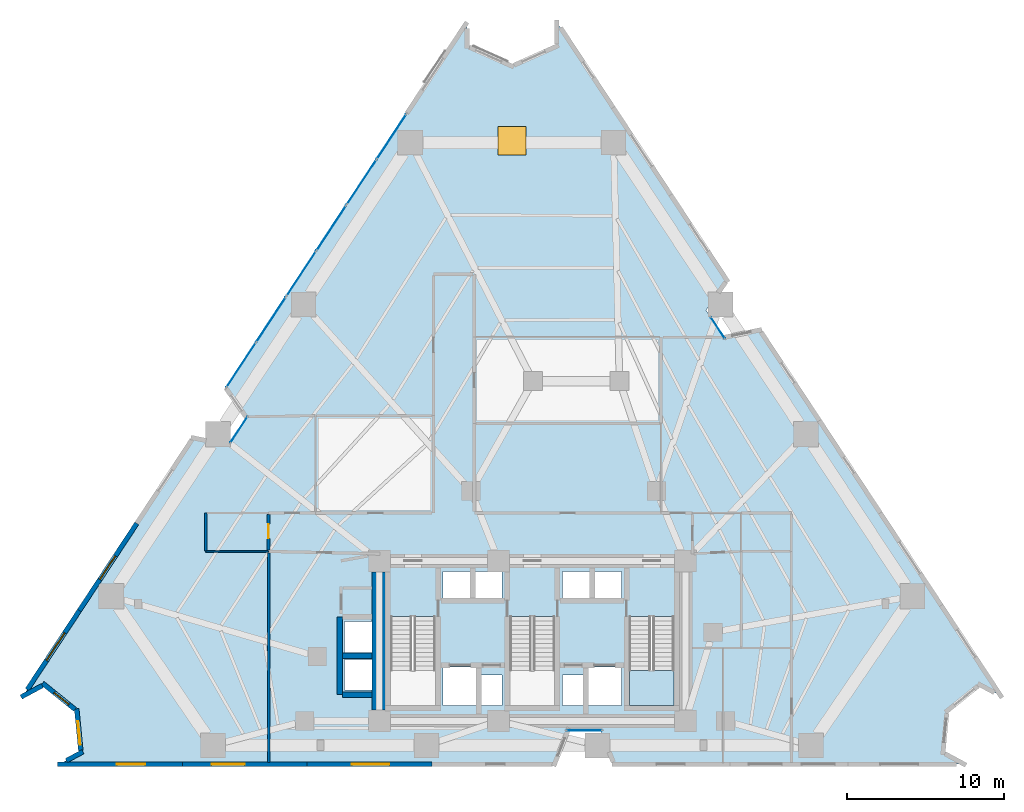
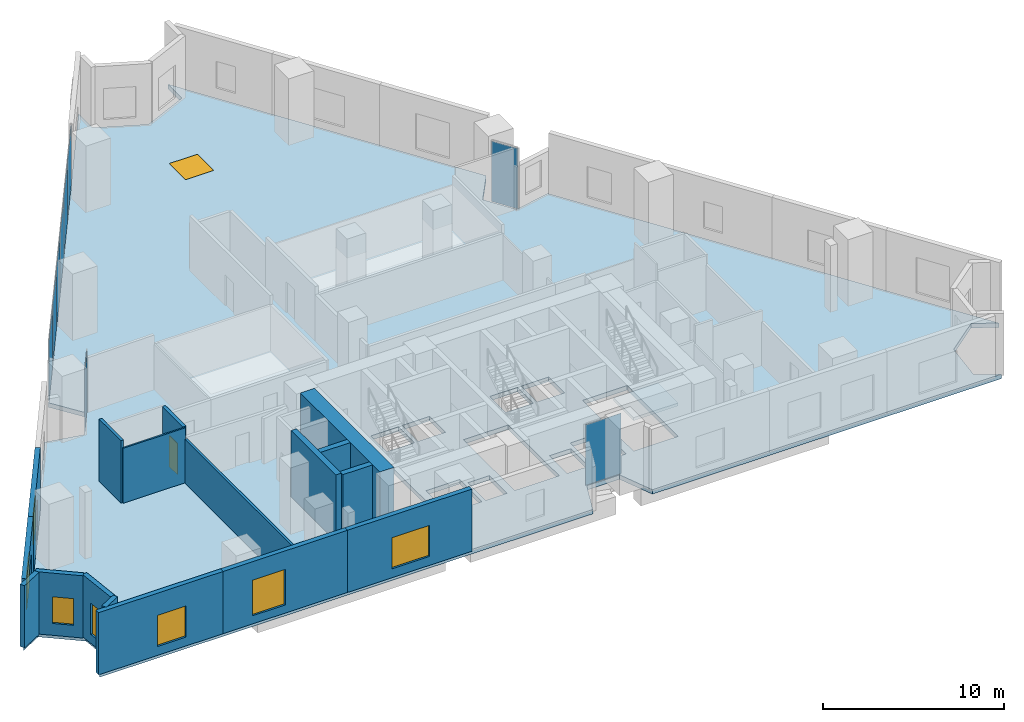
# One storey, part 6 of 12: 17 walls, 9 plates, 8 windows, 2 slabs, 1 door, 9 openings, 7 elements without a shape of their own.
"""IFC4 building model written with IfcOpenShell, lengths in metres."""

from ifc_helpers import new_model, si_unit, direction, frame, frame_2d, origin, origin_2d, place, context, subcontext, project, spatial, polyline, rectangle, outline, extrude, material, layer, layer_set, type_object, element, fill, aggregate, save


model = new_model("IFC4")

# Units and contexts
model_context = context("Model", 3, precision=1e-05, world=origin(), true_north=direction((0.0, 1.0)))
body_context = subcontext(model_context, "Body", "Model", "MODEL_VIEW")
ifc_project = project(units=[si_unit("LENGTHUNIT", "METRE"), si_unit("AREAUNIT", "SQUARE_METRE"), si_unit("VOLUMEUNIT", "CUBIC_METRE"), si_unit("PLANEANGLEUNIT", "RADIAN"), si_unit("MASSUNIT", "GRAM", prefix="KILO")], contexts=[model_context])

# Site, building, storey
site_placement = place(None, origin())
site = spatial("IfcSite", under=ifc_project, at=site_placement, CompositionType="ELEMENT")
building_placement = place(site_placement, origin())
building = spatial("IfcBuilding", under=site, at=building_placement, Name="Almagre Mirador Tower", CompositionType="ELEMENT")
storey_placement = place(building_placement, frame((0.0, 0.0, 17.39990234375)))
storey = spatial("IfcBuildingStorey", under=building, at=storey_placement, Name="L03", CompositionType="ELEMENT", Elevation=17.39990234375)

# Curtain wall, plate
ifc_material_1 = material(Name="Black anodized aluminium", Category="aluminium")
ifc_layer_1 = layer(ifc_material_1, 0.169921875)
ifc_layer_set_1 = layer_set([ifc_layer_1], Name="Black anodized aluminium")
curtain_wall_type_1 = type_object("IfcCurtainWallType", Name="CW-CRS-SYS", PredefinedType="NOTDEFINED", material=ifc_layer_set_1)
curtain_wall_1_placement = place(storey_placement, origin())
curtain_wall_1 = element("IfcCurtainWall", 1, at=curtain_wall_1_placement, inside=storey, type_object=curtain_wall_type_1, Name="L03 vertical crease curtain wall 01", PredefinedType="NOTDEFINED")
ifc_material_2 = material(Name="Dark solar-control laminated hurricane glass", Category="glass")
ifc_layer_2 = layer(ifc_material_2, 0.028076171875)
ifc_layer_set_2 = layer_set([ifc_layer_2], Name="Dark solar-control laminated hurricane glass")
plate_type_1 = type_object("IfcPlateType", Name="PLT-GLZ-28", PredefinedType="CURTAIN_PANEL", material=ifc_layer_set_2)
plate_1_placement = place(storey_placement, frame((18.614501953125, 23.107177734375, 0.06005859375), z_axis=(0.0, 0.0, 1.0), x_axis=(0.550262929231, 0.8349914423, 0.0)))
plate_1 = element("IfcPlate", 2, at=plate_1_placement, type_object=plate_type_1, Name="CW-4 panel 1.1", PredefinedType="CURTAIN_PANEL", context=body_context, shape_type="SweptSolid", body=[
    extrude(rectangle(XDim=1.95361328125, YDim=0.028076171875, at=origin_2d()), origin(), (0.0, 0.0, 1.0), 4.080078125),
])
aggregate(curtain_wall_1, [plate_1])

curtain_wall_2_placement = place(storey_placement, origin())
curtain_wall_2 = element("IfcCurtainWall", 3, at=curtain_wall_2_placement, inside=storey, type_object=curtain_wall_type_1, Name="L03 vertical crease curtain wall 05", PredefinedType="NOTDEFINED")
plate_2_placement = place(storey_placement, frame((49.117919921875, 29.58349609375, 0.06005859375), z_axis=(0.0, 0.0, 1.0), x_axis=(0.550264832772, -0.834990187855, 0.0)))
plate_2 = element("IfcPlate", 4, at=plate_2_placement, type_object=plate_type_1, Name="CW-4 panel 1.1", PredefinedType="CURTAIN_PANEL", context=body_context, shape_type="SweptSolid", body=[
    extrude(rectangle(XDim=1.6103515625, YDim=0.028076171875, at=origin_2d()), origin(), (0.0, 0.0, 1.0), 4.080078125),
])
aggregate(curtain_wall_2, [plate_2])

curtain_wall_3_placement = place(storey_placement, origin())
curtain_wall_3 = element("IfcCurtainWall", 5, at=curtain_wall_3_placement, inside=storey, type_object=curtain_wall_type_1, Name="L03 vertical crease curtain wall 06", PredefinedType="NOTDEFINED")
plate_3_placement = place(storey_placement, frame((40.60791015625, 3.949951171875, 0.06005859375), z_axis=(0.0, 0.0, 1.0), x_axis=(-1.0, 0.0, 0.0)))
plate_3 = element("IfcPlate", 6, at=plate_3_placement, type_object=plate_type_1, Name="CW-4 panel 1.1", PredefinedType="CURTAIN_PANEL", context=body_context, shape_type="SweptSolid", body=[
    extrude(rectangle(XDim=2.25, YDim=0.028076171875, at=origin_2d()), origin(), (0.0, 0.0, 1.0), 4.080078125),
])
aggregate(curtain_wall_3, [plate_3])

# Curtain wall, plates
ifc_material_3 = material(Name="Black anodized aluminium", Category="aluminium")
ifc_layer_3 = layer(ifc_material_3, 0.219970703125)
ifc_layer_set_3 = layer_set([ifc_layer_3], Name="Black anodized aluminium")
curtain_wall_type_2 = type_object("IfcCurtainWallType", Name="CW-POD-SYS", PredefinedType="NOTDEFINED", material=ifc_layer_set_3)
curtain_wall_4_placement = place(storey_placement, origin())
curtain_wall_4 = element("IfcCurtainWall", 7, at=curtain_wall_4_placement, inside=storey, type_object=curtain_wall_type_2, Name="L03 curtain wall run 02", PredefinedType="NOTDEFINED")
ifc_material_4 = material(Name="Dark solar-control laminated hurricane glass", Category="glass")
ifc_layer_4 = layer(ifc_material_4, 0.035888671875)
ifc_layer_set_4 = layer_set([ifc_layer_4], Name="Dark solar-control laminated hurricane glass")
plate_type_2 = type_object("IfcPlateType", Name="PLT-GLZ-36", PredefinedType="CURTAIN_PANEL", material=ifc_layer_set_4)
plate_4_placement = place(storey_placement, frame((18.75244140625, 27.22412109375, 0.06494140625), z_axis=(0.0, 0.0, 1.0), x_axis=(0.550207309826, 0.835028093068, 0.0)))
plate_4 = element("IfcPlate", 8, at=plate_4_placement, type_object=plate_type_2, Name="CW-1 panel 1.1", PredefinedType="CURTAIN_PANEL", context=body_context, shape_type="SweptSolid", body=[
    extrude(rectangle(XDim=3.3837890625, YDim=0.035888671875, at=origin_2d()), origin(), (0.0, 0.0, 1.0), 4.070068359375),
])
plate_5_placement = place(storey_placement, frame((20.652587890625, 30.108154296875, 0.06494140625), z_axis=(0.0, 0.0, 1.0), x_axis=(0.550207309826, 0.835028093068, 0.0)))
plate_5 = element("IfcPlate", 9, at=plate_5_placement, type_object=plate_type_2, Name="CW-1 panel 2.1", PredefinedType="CURTAIN_PANEL", context=body_context, shape_type="SweptSolid", body=[
    extrude(rectangle(XDim=3.3837890625, YDim=0.035888671875, at=origin_2d()), origin(), (0.0, 0.0, 1.0), 4.070068359375),
])
aggregate(curtain_wall_4, [plate_4, plate_5])

curtain_wall_5_placement = place(storey_placement, origin())
curtain_wall_5 = element("IfcCurtainWall", 10, at=curtain_wall_5_placement, inside=storey, type_object=curtain_wall_type_2, Name="L03 curtain wall run 03", PredefinedType="NOTDEFINED")
plate_6_placement = place(storey_placement, frame((22.59130859375, 33.050537109375, 0.06494140625), z_axis=(0.0, 0.0, 1.0), x_axis=(0.550213894586, 0.835023754276, 0.0)))
plate_6 = element("IfcPlate", 11, at=plate_6_placement, type_object=plate_type_2, Name="CW-1 panel 1.1", PredefinedType="CURTAIN_PANEL", context=body_context, shape_type="SweptSolid", body=[
    extrude(rectangle(XDim=3.383544921875, YDim=0.035888671875, at=origin_2d()), origin(), (0.0, 0.0, 1.0), 4.070068359375),
])
plate_7_placement = place(storey_placement, frame((24.49169921875, 35.934326171875, 0.06494140625), z_axis=(0.0, 0.0, 1.0), x_axis=(0.550213894586, 0.835023754276, 0.0)))
plate_7 = element("IfcPlate", 12, at=plate_7_placement, type_object=plate_type_2, Name="CW-1 panel 2.1", PredefinedType="CURTAIN_PANEL", context=body_context, shape_type="SweptSolid", body=[
    extrude(rectangle(XDim=3.383544921875, YDim=0.035888671875, at=origin_2d()), origin(), (0.0, 0.0, 1.0), 4.070068359375),
])
aggregate(curtain_wall_5, [plate_6, plate_7])

curtain_wall_6_placement = place(storey_placement, origin())
curtain_wall_6 = element("IfcCurtainWall", 13, at=curtain_wall_6_placement, inside=storey, type_object=curtain_wall_type_2, Name="L03 curtain wall run 04", PredefinedType="NOTDEFINED")
plate_8_placement = place(storey_placement, frame((26.430419921875, 38.876708984375, 0.06494140625), z_axis=(0.0, 0.0, 1.0), x_axis=(0.550213894586, 0.835023754276, 0.0)))
plate_8 = element("IfcPlate", 14, at=plate_8_placement, type_object=plate_type_2, Name="CW-1 panel 1.1", PredefinedType="CURTAIN_PANEL", context=body_context, shape_type="SweptSolid", body=[
    extrude(rectangle(XDim=3.383544921875, YDim=0.035888671875, at=origin_2d()), origin(), (0.0, 0.0, 1.0), 4.070068359375),
])
plate_9_placement = place(storey_placement, frame((28.33056640625, 41.760498046875, 0.06494140625), z_axis=(0.0, 0.0, 1.0), x_axis=(0.550213894586, 0.835023754276, 0.0)))
plate_9 = element("IfcPlate", 15, at=plate_9_placement, type_object=plate_type_2, Name="CW-1 panel 2.1", PredefinedType="CURTAIN_PANEL", context=body_context, shape_type="SweptSolid", body=[
    extrude(rectangle(XDim=3.383544921875, YDim=0.035888671875, at=origin_2d()), origin(), (0.0, 0.0, 1.0), 4.070068359375),
])
aggregate(curtain_wall_6, [plate_8, plate_9])

# Slab, opening, window
ifc_material_5 = material(Name="Concrete C45/55", Category="concrete")
ifc_layer_5 = layer(ifc_material_5, 0.300048828125)
ifc_layer_set_5 = layer_set([ifc_layer_5], Name="Concrete C45/55")
slab_type_1 = type_object("IfcSlabType", Name="SLB-FLR-300", PredefinedType="FLOOR", material=ifc_layer_set_5)
slab_1_placement = place(storey_placement, frame((0.0, 0.0, -0.2998046875)))
slab_1 = element("IfcSlab", 16, at=slab_1_placement, inside=storey, type_object=slab_type_1, Name="L03 structural floor slab", PredefinedType="FLOOR", context=body_context, shape_type="SweptSolid", body=[
    extrude(outline(polyline([(4.861083984375, 6.14208984375), (6.2080078125, 6.867919921875), (8.2900390625, 5.18798828125), (8.547119140625, 2.52587890625), (7.199951171875, 1.800048828125), (38.7080078125, 1.800048828125), (39.56298828125, 3.949951171875), (41.653076171875, 3.949951171875), (42.508056640625, 1.800048828125), (64.800048828125, 1.800048828125), (63.452880859375, 2.52587890625), (63.7099609375, 5.18798828125), (65.7919921875, 6.867919921875), (67.138916015625, 6.14208984375), (51.782958984375, 29.447021484375), (49.51708984375, 28.97802734375), (48.366943359375, 30.722900390625), (49.69189453125, 32.6201171875), (38.861083984375, 49.05810546875), (38.861083984375, 47.528076171875), (36.0, 46.256103515625), (33.138916015625, 47.528076171875), (33.138916015625, 49.05810546875), (17.782958984375, 25.7529296875), (19.10791015625, 23.85595703125), (17.9580078125, 22.111083984375), (15.69189453125, 22.580078125), (4.861083984375, 6.14208984375)]), holes=[polyline([(43.47509765625, 11.196044921875), (46.324951171875, 11.196044921875), (46.324951171875, 5.550048828125), (43.47509765625, 5.550048828125), (43.47509765625, 11.196044921875)]), polyline([(40.820068359375, 5.52001953125), (40.820068359375, 7.97998046875), (42.97998046875, 7.97998046875), (42.97998046875, 5.52001953125), (40.820068359375, 5.52001953125)]), polyline([(41.219970703125, 12.320068359375), (41.219970703125, 14.080078125), (42.97998046875, 14.080078125), (42.97998046875, 12.320068359375), (41.219970703125, 12.320068359375)]), polyline([(39.219970703125, 12.320068359375), (39.219970703125, 14.080078125), (40.97998046875, 14.080078125), (40.97998046875, 12.320068359375), (39.219970703125, 12.320068359375)]), polyline([(39.219970703125, 5.52001953125), (39.219970703125, 7.47998046875), (40.580078125, 7.47998046875), (40.580078125, 5.52001953125), (39.219970703125, 5.52001953125)]), polyline([(35.875, 11.196044921875), (38.72509765625, 11.196044921875), (38.72509765625, 5.550048828125), (35.875, 5.550048828125), (35.875, 11.196044921875)]), polyline([(35.3798828125, 5.52001953125), (34.02001953125, 5.52001953125), (34.02001953125, 7.47998046875), (35.3798828125, 7.47998046875), (35.3798828125, 5.52001953125)]), polyline([(35.3798828125, 12.320068359375), (33.6201171875, 12.320068359375), (33.6201171875, 14.080078125), (35.3798828125, 14.080078125), (35.3798828125, 12.320068359375)]), polyline([(31.6201171875, 5.52001953125), (31.6201171875, 7.97998046875), (33.780029296875, 7.97998046875), (33.780029296875, 5.52001953125), (31.6201171875, 5.52001953125)]), polyline([(31.6201171875, 12.320068359375), (31.6201171875, 14.080078125), (33.3798828125, 14.080078125), (33.3798828125, 12.320068359375), (31.6201171875, 12.320068359375)]), polyline([(28.27490234375, 5.550048828125), (28.27490234375, 11.196044921875), (31.125, 11.196044921875), (31.125, 5.550048828125), (28.27490234375, 5.550048828125)]), polyline([(25.320068359375, 6.52001953125), (25.320068359375, 8.47998046875), (27.3798828125, 8.47998046875), (27.3798828125, 6.52001953125), (25.320068359375, 6.52001953125)]), polyline([(25.320068359375, 8.919921875), (25.320068359375, 10.8798828125), (27.3798828125, 10.8798828125), (27.3798828125, 8.919921875), (25.320068359375, 8.919921875)])]), origin(), (0.0, 0.0, 1.0), 0.2998046875),
])
opening_1_placement = place(slab_1_placement, frame((36.0, 41.5, 0.0)))
opening_1 = element("IfcOpeningElement", 17, at=opening_1_placement, cuts=slab_1, Name="Opening SK-01", PredefinedType="OPENING", context=body_context, shape_type="SweptSolid", body=[
    extrude(rectangle(XDim=1.800048828125, YDim=1.800048828125, at=origin_2d()), origin(), (0.0, 0.0, 1.0), 0.2998046875),
])
ifc_material_6 = material(Name="Dark solar-control laminated hurricane glass", Category="glass")
window_type_1 = type_object("IfcWindowType", Name="SKY-1800X1800", PartitioningType="SINGLE_PANEL", PredefinedType="SKYLIGHT", material=ifc_material_6)
window_1_placement = place(opening_1_placement, frame((0.0, 0.0, 0.249755859375)))
window_1 = element("IfcWindow", 18, at=window_1_placement, inside=storey, type_object=window_type_1, Name="L03 atrium lightwell skylight 3", OverallHeight=1.800048828125, OverallWidth=1.800048828125, PartitioningType="SINGLE_PANEL", PredefinedType="SKYLIGHT", context=body_context, shape_type="SweptSolid", body=[
    extrude(rectangle(XDim=1.800048828125, YDim=1.800048828125, at=origin_2d()), origin(), (0.0, 0.0, 1.0), 0.050048828125),
])
fill(opening_1, window_1)

# Stair, slab
ifc_material_7 = material(Name="Concrete C45/55", Category="concrete")
stair_type = type_object("IfcStairType", Name="STR-DL-4500", PredefinedType="HALF_TURN_STAIR", material=ifc_material_7)
stair_placement = place(storey_placement, origin())
stair = element("IfcStair", 19, at=stair_placement, inside=storey, type_object=stair_type, Name="L03 Protected exit stair ST-3", PredefinedType="HALF_TURN_STAIR")
ifc_material_8 = material(Name="Concrete C45/55", Category="concrete")
ifc_layer_6 = layer(ifc_material_8, 0.199951171875)
ifc_layer_set_6 = layer_set([ifc_layer_6], Name="Concrete C45/55")
slab_type_2 = type_object("IfcSlabType", Name="SLB-LND-200", PredefinedType="LANDING", material=ifc_layer_set_6)
slab_2_placement = place(storey_placement, frame((0.0, 0.0, 2.050048828125)))
slab_2 = element("IfcSlab", 20, at=slab_2_placement, type_object=slab_type_2, Name="ST-3 landing 1", PredefinedType="LANDING", context=body_context, shape_type="SweptSolid", body=[
    extrude(outline(polyline([(43.47509765625, 7.780029296875), (43.47509765625, 5.550048828125), (46.324951171875, 5.550048828125), (46.324951171875, 7.780029296875), (43.47509765625, 7.780029296875)])), origin(), (0.0, 0.0, 1.0), 0.199951171875),
])
aggregate(stair, [slab_2])

# Wall, opening, window
ifc_material_9 = material(Name="Precast concrete C50/60", Category="concrete")
ifc_layer_7 = layer(ifc_material_9, 0.300048828125)
ifc_layer_set_7 = layer_set([ifc_layer_7], Name="Precast concrete C50/60")
wall_type_1 = type_object("IfcWallType", Name="WAL-EXT-300", PredefinedType="SOLIDWALL", material=ifc_layer_set_7)
wall_1_placement = place(storey_placement, frame((30.90087890625, 1.800048828125, 0.0), z_axis=(0.0, 0.0, 1.0), x_axis=(-1.0, 0.0, 0.0)))
wall_1 = element("IfcWall", 21, at=wall_1_placement, inside=storey, type_object=wall_type_1, Name="L03 expressed almagre precast frame wall 27", PredefinedType="SOLIDWALL", context=body_context, shape_type="SweptSolid", body=[
    extrude(rectangle(XDim=7.94677734375, YDim=0.300048828125, at=frame_2d((3.973388671875, 0.0))), origin(), (0.0, 0.0, 1.0), 4.2001953125),
])
opening_2_placement = place(wall_1_placement, frame((2.699951171875, 0.0, 0.60009765625)))
opening_2 = element("IfcOpeningElement", 22, at=opening_2_placement, cuts=wall_1, Name="Opening WN-02", PredefinedType="OPENING", context=body_context, shape_type="SweptSolid", body=[
    extrude(rectangle(XDim=2.39990234375, YDim=2.10009765625, at=frame_2d((1.199951171875, 1.050048828125))), frame((0.0, 0.159902, 0.0), z_axis=(0.0, -1.0, 0.0), x_axis=(1.0, 0.0, 0.0)), (0.0, 0.0, 1.0), 0.320049),
])
ifc_material_10 = material(Name="Dark solar-control laminated hurricane glass", Category="glass")
window_type_2 = type_object("IfcWindowType", Name="WIN-2400X2100", PartitioningType="TRIPLE_PANEL_VERTICAL", PredefinedType="WINDOW", material=ifc_material_10)
window_2_placement = place(opening_2_placement, origin())
window_2 = element("IfcWindow", 23, at=window_2_placement, inside=storey, type_object=window_type_2, Name="L03 recessed hurricane window L03-PIL-3", OverallHeight=2.10009765625, OverallWidth=2.39990234375, PartitioningType="SINGLE_PANEL", PredefinedType="WINDOW", context=body_context, shape_type="SweptSolid", body=[
    extrude(rectangle(XDim=2.39990234375, YDim=2.10009765625, at=frame_2d((1.199951171875, 1.050048828125))), frame((0.0, 0.030029296875, 0.0), z_axis=(0.0, -1.0, 0.0), x_axis=(1.0, 0.0, 0.0)), (0.0, 0.0, 1.0), 0.06005859375),
])
fill(opening_2, window_2)

wall_2_placement = place(storey_placement, frame((22.9541015625, 1.800048828125, 0.0), z_axis=(0.0, 0.0, 1.0), x_axis=(-1.0, 0.0, 0.0)))
wall_2 = element("IfcWall", 24, at=wall_2_placement, inside=storey, type_object=wall_type_1, Name="L03 expressed almagre precast frame wall 28", PredefinedType="SOLIDWALL", context=body_context, shape_type="SweptSolid", body=[
    extrude(rectangle(XDim=7.947021484375, YDim=0.300048828125, at=frame_2d((3.9736328125, 0.0))), origin(), (0.0, 0.0, 1.0), 4.2001953125),
])
opening_3_placement = place(wall_2_placement, frame((3.97509765625, 0.0, 0.550048828125)))
opening_3 = element("IfcOpeningElement", 25, at=opening_3_placement, cuts=wall_2, Name="Opening WN-05", PredefinedType="OPENING", context=body_context, shape_type="SweptSolid", body=[
    extrude(rectangle(XDim=2.10009765625, YDim=2.39990234375, at=frame_2d((1.050048828125, 1.199951171875))), frame((0.0, 0.159902, 0.0), z_axis=(0.0, -1.0, 0.0), x_axis=(1.0, 0.0, 0.0)), (0.0, 0.0, 1.0), 0.320049),
])
ifc_material_11 = material(Name="Dark solar-control laminated hurricane glass", Category="glass")
window_type_3 = type_object("IfcWindowType", Name="WIN-2100X2400", PartitioningType="DOUBLE_PANEL_VERTICAL", PredefinedType="WINDOW", material=ifc_material_11)
window_3_placement = place(opening_3_placement, origin())
window_3 = element("IfcWindow", 26, at=window_3_placement, inside=storey, type_object=window_type_3, Name="L03 recessed hurricane window L03-JCE-4", OverallHeight=2.39990234375, OverallWidth=2.10009765625, PartitioningType="SINGLE_PANEL", PredefinedType="WINDOW", context=body_context, shape_type="SweptSolid", body=[
    extrude(rectangle(XDim=2.10009765625, YDim=2.39990234375, at=frame_2d((1.050048828125, 1.199951171875))), frame((0.0, 0.030029296875, 0.0), z_axis=(0.0, -1.0, 0.0), x_axis=(1.0, 0.0, 0.0)), (0.0, 0.0, 1.0), 0.06005859375),
])
fill(opening_3, window_3)

wall_3_placement = place(storey_placement, frame((15.007080078125, 1.800048828125, 0.0), z_axis=(0.0, 0.0, 1.0), x_axis=(-1.0, 0.0, 0.0)))
wall_3 = element("IfcWall", 27, at=wall_3_placement, inside=storey, type_object=wall_type_1, Name="L03 expressed almagre precast frame wall 29", PredefinedType="SOLIDWALL", context=body_context, shape_type="SweptSolid", body=[
    extrude(rectangle(XDim=7.947021484375, YDim=0.300048828125, at=frame_2d((3.9736328125, 0.0))), origin(), (0.0, 0.0, 1.0), 4.2001953125),
])
opening_4_placement = place(wall_3_placement, frame((2.375, 0.0, 0.60009765625)))
opening_4 = element("IfcOpeningElement", 28, at=opening_4_placement, cuts=wall_3, Name="Opening WN-01", PredefinedType="OPENING", context=body_context, shape_type="SweptSolid", body=[
    extrude(rectangle(XDim=1.800048828125, YDim=2.10009765625, at=frame_2d((0.89990234375, 1.050048828125))), frame((0.0, 0.159902, 0.0), z_axis=(0.0, -1.0, 0.0), x_axis=(1.0, 0.0, 0.0)), (0.0, 0.0, 1.0), 0.320049),
])
ifc_material_12 = material(Name="Dark solar-control laminated hurricane glass", Category="glass")
window_type_4 = type_object("IfcWindowType", Name="WIN-1800X2100", PartitioningType="DOUBLE_PANEL_VERTICAL", PredefinedType="WINDOW", material=ifc_material_12)
window_4_placement = place(opening_4_placement, origin())
window_4 = element("IfcWindow", 29, at=window_4_placement, inside=storey, type_object=window_type_4, Name="L03 recessed hurricane window L03-JCE-4", OverallHeight=2.10009765625, OverallWidth=1.800048828125, PartitioningType="SINGLE_PANEL", PredefinedType="WINDOW", context=body_context, shape_type="SweptSolid", body=[
    extrude(rectangle(XDim=1.800048828125, YDim=2.10009765625, at=frame_2d((0.89990234375, 1.050048828125))), frame((0.0, 0.030029296875, 0.0), z_axis=(0.0, -1.0, 0.0), x_axis=(1.0, 0.0, 0.0)), (0.0, 0.0, 1.0), 0.06005859375),
])
fill(opening_4, window_4)

# Wall
wall_4_placement = place(storey_placement, frame((7.62255859375, 2.02783203125, 0.0), z_axis=(0.0, 0.0, 1.0), x_axis=(0.880345902198, 0.474332259586, 0.0)))
element("IfcWall", 30, at=wall_4_placement, inside=storey, type_object=wall_type_1, Name="L03 expressed almagre precast frame wall 30", PredefinedType="SOLIDWALL", context=body_context, shape_type="SweptSolid", body=[
    extrude(rectangle(XDim=1.18994140625, YDim=0.300048828125, at=frame_2d((0.594970703125, 0.0))), origin(), (0.0, 0.0, 1.0), 4.2001953125),
])

# Wall, opening, window
wall_5_placement = place(storey_placement, frame((8.5341796875, 2.660400390625, 0.0), z_axis=(0.0, 0.0, 1.0), x_axis=(-0.096129088581, 0.995368875507, 0.0)))
wall_5 = element("IfcWall", 31, at=wall_5_placement, inside=storey, type_object=wall_type_1, Name="L03 expressed almagre precast frame wall 31", PredefinedType="SOLIDWALL", context=body_context, shape_type="SweptSolid", body=[
    extrude(rectangle(XDim=2.679443359375, YDim=0.300048828125, at=frame_2d((1.33984375, 0.0))), origin(), (0.0, 0.0, 1.0), 4.2001953125),
])
opening_5_placement = place(wall_5_placement, frame((0.375, 0.0, 0.60009765625)))
opening_5 = element("IfcOpeningElement", 32, at=opening_5_placement, cuts=wall_5, Name="Opening WN-03", PredefinedType="OPENING", context=body_context, shape_type="SweptSolid", body=[
    extrude(rectangle(XDim=1.5, YDim=2.10009765625, at=frame_2d((0.75, 1.050048828125))), frame((0.0, 0.159902, 0.0), z_axis=(0.0, -1.0, 0.0), x_axis=(1.0, 0.0, 0.0)), (0.0, 0.0, 1.0), 0.320049),
])
ifc_material_13 = material(Name="Dark solar-control laminated hurricane glass", Category="glass")
window_type_5 = type_object("IfcWindowType", Name="WIN-1500X2100", PartitioningType="DOUBLE_PANEL_VERTICAL", PredefinedType="WINDOW", material=ifc_material_13)
window_5_placement = place(opening_5_placement, origin())
window_5 = element("IfcWindow", 33, at=window_5_placement, inside=storey, type_object=window_type_5, Name="L03 recessed hurricane window L03-JCE-4", OverallHeight=2.10009765625, OverallWidth=1.5, PartitioningType="SINGLE_PANEL", PredefinedType="WINDOW", context=body_context, shape_type="SweptSolid", body=[
    extrude(rectangle(XDim=1.5, YDim=2.10009765625, at=frame_2d((0.75, 1.050048828125))), frame((0.0, 0.030029296875, 0.0), z_axis=(0.0, -1.0, 0.0), x_axis=(1.0, 0.0, 0.0)), (0.0, 0.0, 1.0), 0.06005859375),
])
fill(opening_5, window_5)

wall_6_placement = place(storey_placement, frame((8.17333984375, 5.2822265625, 0.0), z_axis=(0.0, 0.0, 1.0), x_axis=(-0.778261403538, 0.627940433292, 0.0)))
wall_6 = element("IfcWall", 34, at=wall_6_placement, inside=storey, type_object=wall_type_1, Name="L03 expressed almagre precast frame wall 32", PredefinedType="SOLIDWALL", context=body_context, shape_type="SweptSolid", body=[
    extrude(rectangle(XDim=2.665283203125, YDim=0.300048828125, at=frame_2d((1.33251953125, 0.0))), origin(), (0.0, 0.0, 1.0), 4.2001953125),
])
opening_6_placement = place(wall_6_placement, frame((0.510009765625, 0.0, 0.800048828125)))
opening_6 = element("IfcOpeningElement", 35, at=opening_6_placement, cuts=wall_6, Name="Opening WN-04", PredefinedType="OPENING", context=body_context, shape_type="SweptSolid", body=[
    extrude(rectangle(XDim=1.199951171875, YDim=1.800048828125, at=frame_2d((0.60009765625, 0.89990234375))), frame((0.0, 0.159902, 0.0), z_axis=(0.0, -1.0, 0.0), x_axis=(1.0, 0.0, 0.0)), (0.0, 0.0, 1.0), 0.320049),
])
ifc_material_14 = material(Name="Dark solar-control laminated hurricane glass", Category="glass")
window_type_6 = type_object("IfcWindowType", Name="WIN-1200X1800", PartitioningType="SINGLE_PANEL", PredefinedType="WINDOW", material=ifc_material_14)
window_6_placement = place(opening_6_placement, origin())
window_6 = element("IfcWindow", 36, at=window_6_placement, inside=storey, type_object=window_type_6, Name="L03 recessed hurricane window L03-JCE-4", OverallHeight=1.800048828125, OverallWidth=1.199951171875, PartitioningType="SINGLE_PANEL", PredefinedType="WINDOW", context=body_context, shape_type="SweptSolid", body=[
    extrude(rectangle(XDim=1.199951171875, YDim=1.800048828125, at=frame_2d((0.60009765625, 0.89990234375))), frame((0.0, 0.030029296875, 0.0), z_axis=(0.0, -1.0, 0.0), x_axis=(1.0, 0.0, 0.0)), (0.0, 0.0, 1.0), 0.06005859375),
])
fill(opening_6, window_6)

# Wall
wall_7_placement = place(storey_placement, frame((6.089111328125, 6.803955078125, 0.0), z_axis=(0.0, 0.0, 1.0), x_axis=(-0.880297407877, -0.47442225252, 0.0)))
element("IfcWall", 37, at=wall_7_placement, inside=storey, type_object=wall_type_1, Name="L03 expressed almagre precast frame wall 33", PredefinedType="SOLIDWALL", context=body_context, shape_type="SweptSolid", body=[
    extrude(rectangle(XDim=1.53515625, YDim=0.300048828125, at=frame_2d((0.767578125, 0.0))), origin(), (0.0, 0.0, 1.0), 4.2001953125),
])

# Wall, opening, window
wall_8_placement = place(storey_placement, frame((5.1279296875, 6.547119140625, 0.0), z_axis=(0.0, 0.0, 1.0), x_axis=(0.550207513333, 0.835027958976, 0.0)))
wall_8 = element("IfcWall", 38, at=wall_8_placement, inside=storey, type_object=wall_type_1, Name="L03 expressed almagre precast frame wall 34", PredefinedType="SOLIDWALL", context=body_context, shape_type="SweptSolid", body=[
    extrude(rectangle(XDim=6.0302734375, YDim=0.300048828125, at=frame_2d((3.01513671875, 0.0))), origin(), (0.0, 0.0, 1.0), 4.2001953125),
])
opening_7_placement = place(wall_8_placement, frame((2.22509765625, 0.0, 0.550048828125)))
opening_7 = element("IfcOpeningElement", 39, at=opening_7_placement, cuts=wall_8, Name="Opening WN-05", PredefinedType="OPENING", context=body_context, shape_type="SweptSolid", body=[
    extrude(rectangle(XDim=2.10009765625, YDim=2.39990234375, at=frame_2d((1.050048828125, 1.199951171875))), frame((0.0, 0.159902, 0.0), z_axis=(0.0, -1.0, 0.0), x_axis=(1.0, 0.0, 0.0)), (0.0, 0.0, 1.0), 0.320049),
])
window_7_placement = place(opening_7_placement, origin())
window_7 = element("IfcWindow", 40, at=window_7_placement, inside=storey, type_object=window_type_3, Name="L03 recessed hurricane window L03-JCE-4", OverallHeight=2.39990234375, OverallWidth=2.10009765625, PartitioningType="SINGLE_PANEL", PredefinedType="WINDOW", context=body_context, shape_type="SweptSolid", body=[
    extrude(rectangle(XDim=2.10009765625, YDim=2.39990234375, at=frame_2d((1.050048828125, 1.199951171875))), frame((0.0, 0.030029296875, 0.0), z_axis=(0.0, -1.0, 0.0), x_axis=(1.0, 0.0, 0.0)), (0.0, 0.0, 1.0), 0.06005859375),
])
fill(opening_7, window_7)

wall_9_placement = place(storey_placement, frame((8.44580078125, 11.58251953125, 0.0), z_axis=(0.0, 0.0, 1.0), x_axis=(0.550205243724, 0.835029454438, 0.0)))
wall_9 = element("IfcWall", 41, at=wall_9_placement, inside=storey, type_object=wall_type_1, Name="L03 expressed almagre precast frame wall 35", PredefinedType="SOLIDWALL", context=body_context, shape_type="SweptSolid", body=[
    extrude(rectangle(XDim=6.655029296875, YDim=0.300048828125, at=frame_2d((3.32763671875, 0.0))), origin(), (0.0, 0.0, 1.0), 4.2001953125),
])
opening_8_placement = place(wall_9_placement, frame((2.375, 0.0, 0.60009765625)))
opening_8 = element("IfcOpeningElement", 42, at=opening_8_placement, cuts=wall_9, Name="Opening WN-01", PredefinedType="OPENING", context=body_context, shape_type="SweptSolid", body=[
    extrude(rectangle(XDim=1.800048828125, YDim=2.10009765625, at=frame_2d((0.89990234375, 1.050048828125))), frame((0.0, 0.159902, 0.0), z_axis=(0.0, -1.0, 0.0), x_axis=(1.0, 0.0, 0.0)), (0.0, 0.0, 1.0), 0.320049),
])
window_8_placement = place(opening_8_placement, origin())
window_8 = element("IfcWindow", 43, at=window_8_placement, inside=storey, type_object=window_type_4, Name="L03 recessed hurricane window L03-JCE-4", OverallHeight=2.10009765625, OverallWidth=1.800048828125, PartitioningType="SINGLE_PANEL", PredefinedType="WINDOW", context=body_context, shape_type="SweptSolid", body=[
    extrude(rectangle(XDim=1.800048828125, YDim=2.10009765625, at=frame_2d((0.89990234375, 1.050048828125))), frame((0.0, 0.030029296875, 0.0), z_axis=(0.0, -1.0, 0.0), x_axis=(1.0, 0.0, 0.0)), (0.0, 0.0, 1.0), 0.06005859375),
])
fill(opening_8, window_8)

# Walls
ifc_material_15 = material(Name="Gypsum acoustic stud partition", Category="other")
ifc_layer_8 = layer(ifc_material_15, 0.10009765625)
ifc_layer_set_8 = layer_set([ifc_layer_8], Name="Gypsum acoustic stud partition")
wall_type_2 = type_object("IfcWallType", Name="WAL-PRT-100-CLS", PredefinedType="PARTITIONING", material=ifc_layer_set_8)
wall_10_placement = place(storey_placement, frame((20.5, 15.35009765625, 0.0), z_axis=(0.0, 0.0, 1.0), x_axis=(-1.0, 0.0, 0.0)))
element("IfcWall", 44, at=wall_10_placement, inside=storey, type_object=wall_type_2, Name="L03 interior partition 020", PredefinedType="PARTITIONING", context=body_context, shape_type="SweptSolid", body=[
    extrude(rectangle(XDim=4.0, YDim=0.10009765625, at=frame_2d((2.0, 0.0))), origin(), (0.0, 0.0, 1.0), 3.710205078125),
])
ifc_material_16 = material(Name="Gypsum acoustic stud partition", Category="other")
ifc_layer_9 = layer(ifc_material_16, 0.14990234375)
ifc_layer_set_9 = layer_set([ifc_layer_9], Name="Gypsum acoustic stud partition")
wall_type_3 = type_object("IfcWallType", Name="WAL-PRT-150-STD", PredefinedType="PARTITIONING", material=ifc_layer_set_9)
wall_11_placement = place(storey_placement, frame((20.5, 15.264892578125, 0.0), z_axis=(0.0, 0.0, 1.0), x_axis=(0.0, -1.0, 0.0)))
element("IfcWall", 45, at=wall_11_placement, inside=storey, type_object=wall_type_3, Name="L03 interior partition 019", PredefinedType="PARTITIONING", context=body_context, shape_type="SweptSolid", body=[
    extrude(rectangle(XDim=13.364990234375, YDim=0.14990234375, at=frame_2d((6.6826171875, 0.0))), origin(), (0.0, 0.0, 1.0), 2.97021484375),
])
ifc_material_17 = material(Name="Gypsum acoustic stud partition", Category="other")
ifc_layer_10 = layer(ifc_material_17, 0.175048828125)
ifc_layer_set_10 = layer_set([ifc_layer_10], Name="Gypsum acoustic stud partition")
wall_type_4 = type_object("IfcWallType", Name="WAL-PRT-175-AC", PredefinedType="PARTITIONING", material=ifc_layer_set_10)
wall_12_placement = place(storey_placement, frame((16.5, 15.385009765625, 0.0), z_axis=(0.0, 0.0, 1.0), x_axis=(0.0, 1.0, 0.0)))
element("IfcWall", 46, at=wall_12_placement, inside=storey, type_object=wall_type_4, Name="L03 interior partition 021", PredefinedType="PARTITIONING", context=body_context, shape_type="SweptSolid", body=[
    extrude(rectangle(XDim=2.4150390625, YDim=0.175048828125, at=frame_2d((1.20751953125, 0.0))), origin(), (0.0, 0.0, 1.0), 4.2001953125),
])

# Wall, opening, door
ifc_material_18 = material(Name="Gypsum acoustic stud partition", Category="other")
ifc_layer_11 = layer(ifc_material_18, 0.199951171875)
ifc_layer_set_11 = layer_set([ifc_layer_11], Name="Gypsum acoustic stud partition")
wall_type_5 = type_object("IfcWallType", Name="WAL-PRT-200-EI60", PredefinedType="PARTITIONING", material=ifc_layer_set_11)
wall_13_placement = place(storey_placement, frame((20.5, 17.715087890625, 0.0), z_axis=(0.0, 0.0, 1.0), x_axis=(0.0, -1.0, 0.0)))
wall_13 = element("IfcWall", 47, at=wall_13_placement, inside=storey, type_object=wall_type_5, Name="L03 interior partition 004", PredefinedType="PARTITIONING", context=body_context, shape_type="SweptSolid", body=[
    extrude(rectangle(XDim=2.280029296875, YDim=0.199951171875, at=frame_2d((1.14013671875, 0.0))), origin(), (0.0, 0.0, 1.0), 3.710205078125),
])
opening_9_placement = place(wall_13_placement, frame((0.63232421875, 0.0, 0.0)))
opening_9 = element("IfcOpeningElement", 48, at=opening_9_placement, cuts=wall_13, Name="Opening ID-03", PredefinedType="OPENING", context=body_context, shape_type="SweptSolid", body=[
    extrude(rectangle(XDim=0.89990234375, YDim=2.10009765625, at=frame_2d((0.449951171875, 1.050048828125))), frame((0.0, 0.110098, 0.0), z_axis=(0.0, -1.0, 0.0), x_axis=(1.0, 0.0, 0.0)), (0.0, 0.0, 1.0), 0.219951),
])
ifc_material_19 = material(Name="Fire-rated hollow steel", Category="steel")
door_type = type_object("IfcDoorType", Name="DOR-FD60-900X2100", OperationType="NOTDEFINED", PredefinedType="DOOR", material=ifc_material_19)
door_placement = place(opening_9_placement, origin())
door = element("IfcDoor", 49, at=door_placement, inside=storey, type_object=door_type, Name="DR-0125 L03 interior door L03-COR to L03-MAS-6", OperationType="SINGLE_SWING_RIGHT", OverallHeight=2.10009765625, OverallWidth=0.89990234375, PredefinedType="DOOR", context=body_context, shape_type="SweptSolid", body=[
    extrude(rectangle(XDim=0.89990234375, YDim=2.10009765625, at=frame_2d((0.449951171875, 1.050048828125))), frame((0.0, 0.02490234375, 0.0), z_axis=(0.0, -1.0, 0.0), x_axis=(1.0, 0.0, 0.0)), (0.0, 0.0, 1.0), 0.050048828125),
])
fill(opening_9, door)

# Walls
ifc_material_20 = material(Name="Concrete C60/75", Category="concrete")
ifc_layer_12 = layer(ifc_material_20, 0.35009765625)
ifc_layer_set_12 = layer_set([ifc_layer_12], Name="Concrete C60/75")
wall_type_6 = type_object("IfcWallType", Name="WAL-SHF-350", PredefinedType="SOLIDWALL", material=ifc_layer_set_12)
wall_14_placement = place(storey_placement, frame((25.02490234375, 6.22509765625, 0.0), z_axis=(0.0, 0.0, 1.0), x_axis=(0.0, 1.0, 0.0)))
element("IfcWall", 50, at=wall_14_placement, inside=storey, type_object=wall_type_6, Name="L03 shaft wall OL-W", PredefinedType="SOLIDWALL", context=body_context, shape_type="SweptSolid", body=[
    extrude(rectangle(XDim=4.949951171875, YDim=0.35009765625, at=frame_2d((2.47509765625, 0.0))), origin(), (0.0, 0.0, 1.0), 4.5),
])
for number, where, z_axis, x_axis, name in (
    (51, (25.199951171875, 6.22509765625, 0.0), (0.0, 0.0, 1.0), (1.0, 0.0, 0.0), "L03 shaft wall OL-S"),
    (52, (25.199951171875, 8.699951171875, 0.0), (0.0, 0.0, 1.0), (1.0, 0.0, 0.0), "L03 shaft wall OL-M"),
):
    element("IfcWall", number, at=place(storey_placement, frame(where, z_axis=z_axis, x_axis=x_axis)), inside=storey, type_object=wall_type_6, Name=name, PredefinedType="SOLIDWALL", context=body_context, shape_type="SweptSolid", body=[
        extrude(rectangle(XDim=1.900146484375, YDim=0.35009765625, at=frame_2d((0.9501953125, 0.0))), origin(), (0.0, 0.0, 1.0), 4.5),
    ])
ifc_material_21 = material(Name="Concrete C70/85", Category="concrete")
ifc_layer_13 = layer(ifc_material_21, 0.89990234375)
ifc_layer_set_13 = layer_set([ifc_layer_13], Name="Concrete C70/85")
wall_type_7 = type_object("IfcWallType", Name="WAL-SHR-900", PredefinedType="SHEAR", material=ifc_layer_set_13)
wall_15_placement = place(storey_placement, frame((27.550048828125, 5.25, 0.0), z_axis=(0.0, 0.0, 1.0), x_axis=(0.0, 1.0, 0.0)))
element("IfcWall", 53, at=wall_15_placement, inside=storey, type_object=wall_type_7, Name="L03 core shear wall W1", PredefinedType="SHEAR", context=body_context, shape_type="SweptSolid", body=[
    extrude(rectangle(XDim=8.800048828125, YDim=0.89990234375, at=frame_2d((4.39990234375, 0.0))), origin(), (0.0, 0.0, 1.0), 4.5),
])

save(model, "model.ifc")
